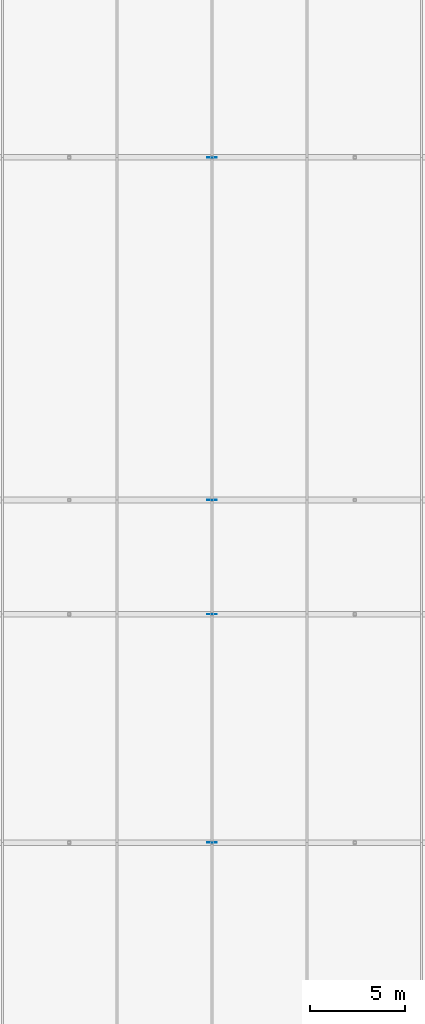
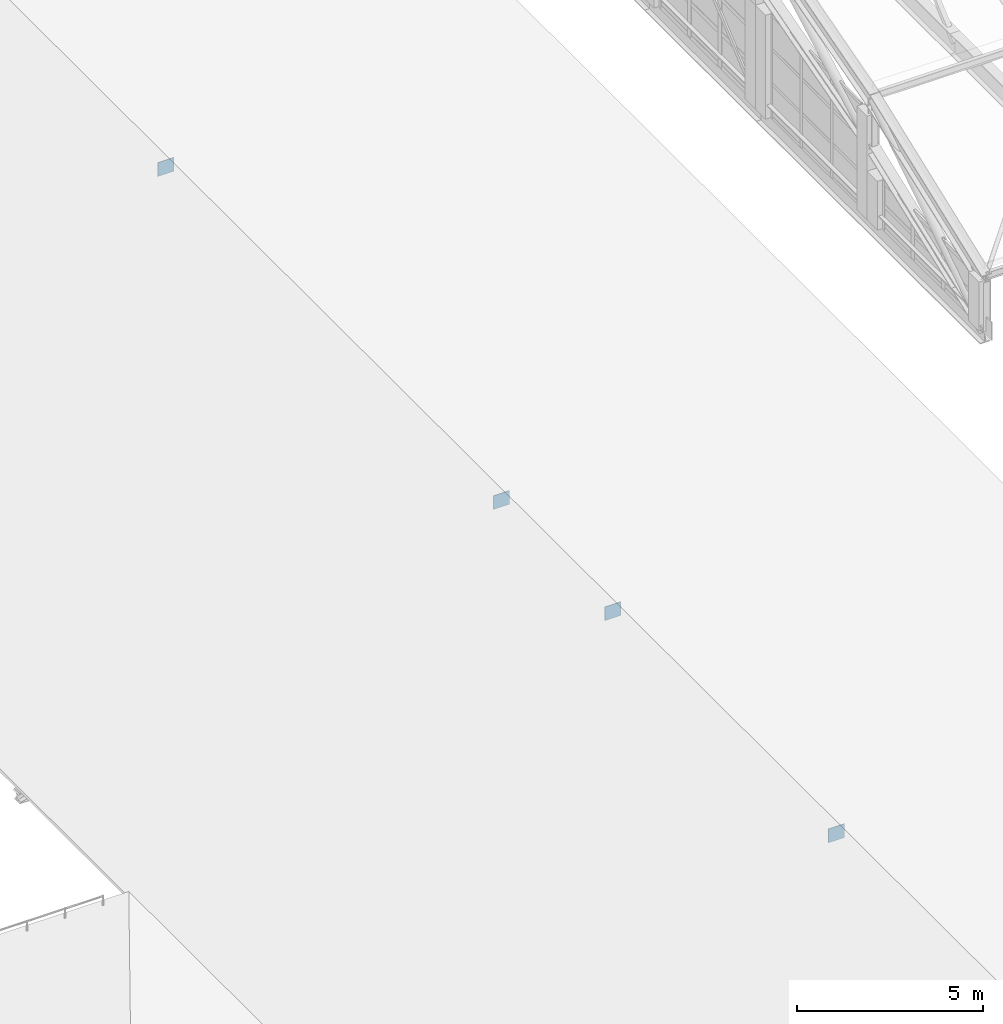
# One storey, part 175 of 204: 4 plates.
"""IFC4 building model written with IfcOpenShell, lengths in metres."""

from ifc_helpers import new_model, si_unit, direction, frame, origin, origin_2d, place, context, subcontext, project, spatial, rectangle, extrude, material, layer, layer_set, type_object, element, save


model = new_model("IFC4")

# Units and contexts
model_context = context("Model", 3, precision=1e-05, world=origin(), true_north=direction((0.0, 1.0)))
body_context = subcontext(model_context, "Body", "Model", "MODEL_VIEW")
ifc_project = project(units=[si_unit("LENGTHUNIT", "METRE"), si_unit("AREAUNIT", "SQUARE_METRE"), si_unit("VOLUMEUNIT", "CUBIC_METRE"), si_unit("PLANEANGLEUNIT", "RADIAN"), si_unit("MASSUNIT", "GRAM", prefix="KILO")], contexts=[model_context])

# Site, building, storey
site_placement = place(None, origin())
site = spatial("IfcSite", under=ifc_project, at=site_placement, CompositionType="ELEMENT")
building_placement = place(site_placement, origin())
building = spatial("IfcBuilding", under=site, at=building_placement, Name="Zilviju Railside Exhibition Hall", CompositionType="ELEMENT")
storey_placement = place(building_placement, frame((0.0, 0.0, 21.0)))
storey = spatial("IfcBuildingStorey", under=building, at=storey_placement, Name="RF", CompositionType="ELEMENT", Elevation=21.0)

# Plates
ifc_material = material(Name="Steel S355J2", Category="steel")
ifc_layer = layer(ifc_material, 0.02001953125)
ifc_layer_set = layer_set([ifc_layer], Name="Steel S355J2")
plate_type = type_object("IfcPlateType", Name="PLATE-GP-20", PredefinedType="SHEET", material=ifc_layer_set)
for number, where, z_axis, x_axis, name in (
    (1, (63.0, 66.0, -4.1748046875), (0.0, 0.0, 1.0), (1.0, 0.0, 0.0), "Concourse Apex Gusset Y=66.0"),
    (2, (63.0, 78.0, -4.1748046875), (0.0, 0.0, 1.0), (1.0, 0.0, 0.0), "Concourse Apex Gusset Y=78.0"),
    (3, (63.0, 84.0, -4.1748046875), (0.0, 0.0, 1.0), (1.0, 0.0, 0.0), "Concourse Apex Gusset Y=84.0"),
    (4, (63.0, 102.0, -4.1748046875), (0.0, 0.0, 1.0), (1.0, 0.0, 0.0), "Concourse Apex Gusset Y=102.0"),
):
    element("IfcPlate", number, at=place(storey_placement, frame(where, z_axis=z_axis, x_axis=x_axis)), inside=storey, type_object=plate_type, Name=name, PredefinedType="SHEET", context=body_context, shape_type="SweptSolid", body=[
        extrude(rectangle(XDim=0.5, YDim=0.02001953125, at=origin_2d()), origin(), (0.0, 0.0, 1.0), 0.449951171875),
    ])

save(model, "model.ifc")
